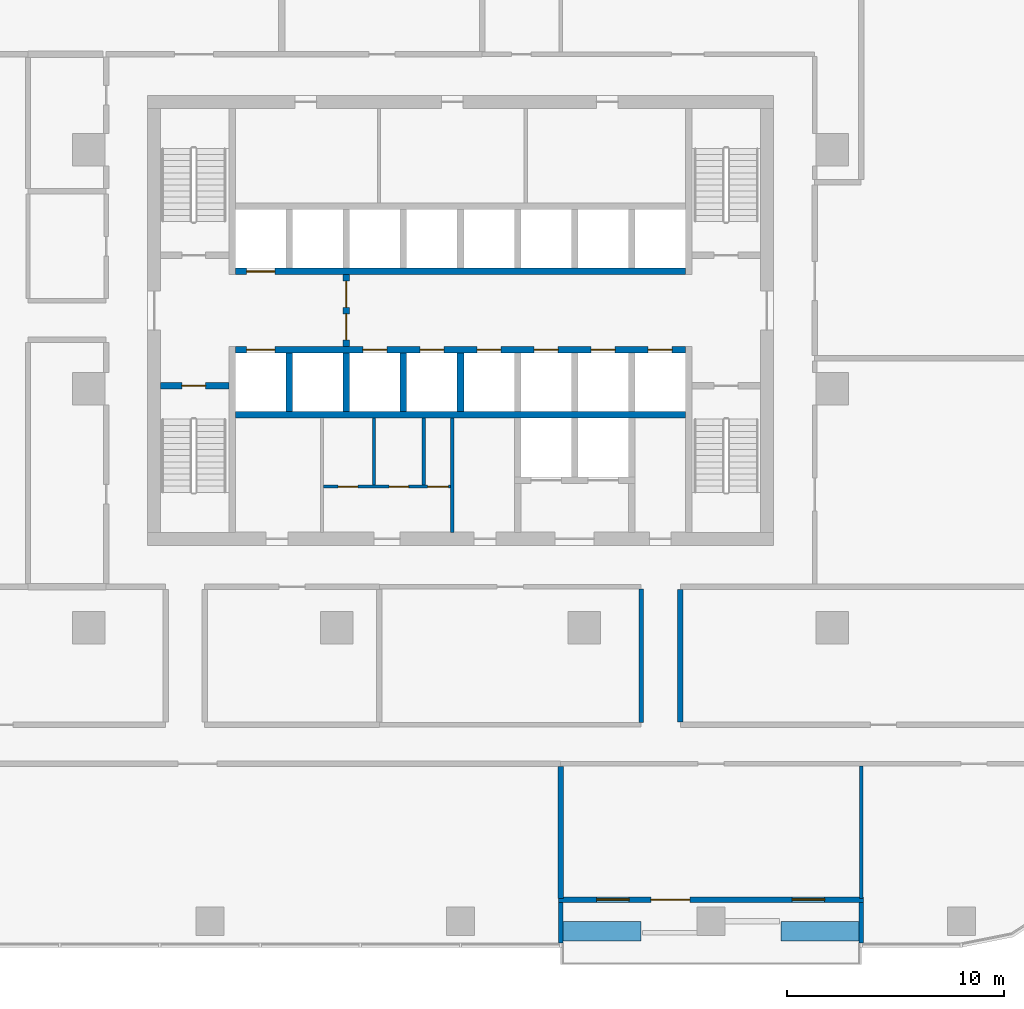
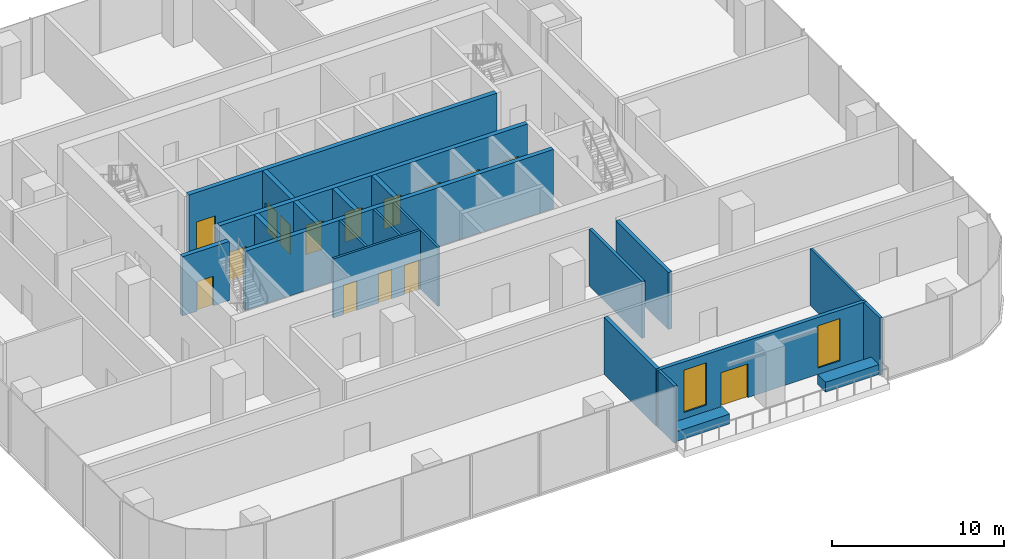
# One storey, part 8 of 15: 22 walls, 15 doors, 2 windows, 17 openings.
"""IFC4 building model written with IfcOpenShell, lengths in metres."""

from ifc_helpers import new_model, si_unit, direction, frame, frame_2d, origin, place, context, subcontext, project, spatial, rectangle, extrude, material, layer, layer_set, type_object, element, fill, save


model = new_model("IFC4")

# Units and contexts
model_context = context("Model", 3, precision=1e-05, world=origin(), true_north=direction((0.0, 1.0)))
body_context = subcontext(model_context, "Body", "Model", "MODEL_VIEW")
ifc_project = project(units=[si_unit("LENGTHUNIT", "METRE"), si_unit("AREAUNIT", "SQUARE_METRE"), si_unit("VOLUMEUNIT", "CUBIC_METRE"), si_unit("PLANEANGLEUNIT", "RADIAN"), si_unit("MASSUNIT", "GRAM", prefix="KILO")], contexts=[model_context])

# Site, building, storey
site_placement = place(None, origin())
site = spatial("IfcSite", under=ifc_project, at=site_placement, CompositionType="ELEMENT")
building_placement = place(site_placement, origin())
building = spatial("IfcBuilding", under=site, at=building_placement, Name="Mopane Tessera Tower", CompositionType="ELEMENT")
storey_placement = place(building_placement, frame((0.0, 0.0, 103.60009765625)))
storey = spatial("IfcBuildingStorey", under=building, at=storey_placement, Name="L20", CompositionType="ELEMENT", Elevation=103.60009765625)

# Wall, openings, doors
ifc_material_1 = material(Name="Fire-rated gypsum board partition")
ifc_layer_1 = layer(ifc_material_1, 0.14990234375)
ifc_layer_set_1 = layer_set([ifc_layer_1], Name="Fire-rated gypsum board partition")
wall_type_1 = type_object("IfcWallType", Name="Core room partition 150 mm", PredefinedType="PARTITIONING", material=ifc_layer_set_1)
wall_1_placement = place(storey_placement, frame((-6.300048828125, -4.5, 0.0), z_axis=(0.0, 0.0, 1.0), x_axis=(1.0, 0.0, 0.0)))
wall_1 = element("IfcWall", 1, at=wall_1_placement, inside=storey, type_object=wall_type_1, Name="L20 WC partition", PredefinedType="PARTITIONING", context=body_context, shape_type="SweptSolid", body=[
    extrude(rectangle(XDim=5.85009765625, YDim=0.14990234375, at=frame_2d((2.925048828125, 0.0))), origin(), (0.0, 0.0, 1.0), 4.199951171875),
])
opening_1_placement = place(wall_1_placement, frame((0.675048828125, 0.0, 0.0)))
opening_1 = element("IfcOpeningElement", 2, at=opening_1_placement, cuts=wall_1, Name="Opening WD1", PredefinedType="OPENING", context=body_context, shape_type="SweptSolid", body=[
    extrude(rectangle(XDim=0.89990234375, YDim=2.10009765625, at=frame_2d((0.449951171875, 1.050048828125))), frame((0.0, 0.0869140625, 0.0), z_axis=(0.0, -1.0, 0.0), x_axis=(1.0, 0.0, 0.0)), (0.0, 0.0, 1.0), 0.173828125),
])
opening_2_placement = place(wall_1_placement, frame((3.014892578125, 0.0, 0.0)))
opening_2 = element("IfcOpeningElement", 3, at=opening_2_placement, cuts=wall_1, Name="Opening WD1", PredefinedType="OPENING", context=body_context, shape_type="SweptSolid", body=[
    extrude(rectangle(XDim=0.89990234375, YDim=2.10009765625, at=frame_2d((0.449951171875, 1.050048828125))), frame((0.0, 0.0869140625, 0.0), z_axis=(0.0, -1.0, 0.0), x_axis=(1.0, 0.0, 0.0)), (0.0, 0.0, 1.0), 0.173828125),
])
opening_3_placement = place(wall_1_placement, frame((4.7900390625, 0.0, 0.0)))
opening_3 = element("IfcOpeningElement", 4, at=opening_3_placement, cuts=wall_1, Name="Opening WD2", PredefinedType="OPENING", context=body_context, shape_type="SweptSolid", body=[
    extrude(rectangle(XDim=0.949951171875, YDim=2.10009765625, at=frame_2d((0.47509765625, 1.050048828125))), frame((0.0, 0.0869140625, 0.0), z_axis=(0.0, -1.0, 0.0), x_axis=(1.0, 0.0, 0.0)), (0.0, 0.0, 1.0), 0.173828125),
])
ifc_material_2 = material(Name="Timber door", Category="wood")
door_type_1 = type_object("IfcDoorType", Name="Accessible WC door 950 x 2100", OperationType="SINGLE_SWING_LEFT", PredefinedType="DOOR", material=ifc_material_2)
door_1_placement = place(opening_3_placement, origin())
door_1 = element("IfcDoor", 5, at=door_1_placement, inside=storey, type_object=door_type_1, Name="L20 Accessible WC door", OperationType="SINGLE_SWING_LEFT", OverallHeight=2.10009765625, OverallWidth=0.949951171875, PredefinedType="DOOR", context=body_context, shape_type="SweptSolid", body=[
    extrude(rectangle(XDim=0.949951171875, YDim=2.10009765625, at=frame_2d((0.47509765625, 1.050048828125))), frame((0.0, 0.02490234375, 0.0), z_axis=(0.0, -1.0, 0.0), x_axis=(1.0, 0.0, 0.0)), (0.0, 0.0, 1.0), 0.050048828125),
])
fill(opening_3, door_1)
ifc_material_3 = material(Name="Timber door", Category="wood")
door_type_2 = type_object("IfcDoorType", Name="WC cubicle door 900 x 2100", OperationType="SINGLE_SWING_LEFT", PredefinedType="DOOR", material=ifc_material_3)
door_2_placement = place(opening_1_placement, origin())
door_2 = element("IfcDoor", 6, at=door_2_placement, inside=storey, type_object=door_type_2, Name="L20 Men's WC door", OperationType="SINGLE_SWING_LEFT", OverallHeight=2.10009765625, OverallWidth=0.89990234375, PredefinedType="DOOR", context=body_context, shape_type="SweptSolid", body=[
    extrude(rectangle(XDim=0.89990234375, YDim=2.10009765625, at=frame_2d((0.449951171875, 1.050048828125))), frame((0.0, 0.02490234375, 0.0), z_axis=(0.0, -1.0, 0.0), x_axis=(1.0, 0.0, 0.0)), (0.0, 0.0, 1.0), 0.050048828125),
])
fill(opening_1, door_2)
door_3_placement = place(opening_2_placement, origin())
door_3 = element("IfcDoor", 7, at=door_3_placement, inside=storey, type_object=door_type_2, Name="L20 Women's WC door", OperationType="SINGLE_SWING_LEFT", OverallHeight=2.10009765625, OverallWidth=0.89990234375, PredefinedType="DOOR", context=body_context, shape_type="SweptSolid", body=[
    extrude(rectangle(XDim=0.89990234375, YDim=2.10009765625, at=frame_2d((0.449951171875, 1.050048828125))), frame((0.0, 0.02490234375, 0.0), z_axis=(0.0, -1.0, 0.0), x_axis=(1.0, 0.0, 0.0)), (0.0, 0.0, 1.0), 0.050048828125),
])
fill(opening_2, door_3)

# Walls
for number, where, z_axis, x_axis, name in (
    (8, (-3.97509765625, -4.425048828125, 0.0), (0.0, 0.0, 1.0), (0.0, 1.0, 0.0), "L20 WC partition"),
    (9, (-1.695068359375, -4.425048828125, 0.0), (0.0, 0.0, 1.0), (0.0, 1.0, 0.0), "L20 WC partition"),
):
    element("IfcWall", number, at=place(storey_placement, frame(where, z_axis=z_axis, x_axis=x_axis)), inside=storey, type_object=wall_type_1, Name=name, PredefinedType="PARTITIONING", context=body_context, shape_type="SweptSolid", body=[
        extrude(rectangle(XDim=3.074951171875, YDim=0.14990234375, at=frame_2d((1.53759765625, 0.0))), origin(), (0.0, 0.0, 1.0), 4.199951171875),
    ])
wall_2_placement = place(storey_placement, frame((-0.375, -6.60009765625, 0.0), z_axis=(0.0, 0.0, 1.0), x_axis=(0.0, 1.0, 0.0)))
element("IfcWall", 10, at=wall_2_placement, inside=storey, type_object=wall_type_1, Name="L20 Room partition", PredefinedType="PARTITIONING", context=body_context, shape_type="SweptSolid", body=[
    extrude(rectangle(XDim=5.25, YDim=0.14990234375, at=frame_2d((2.625, 0.0))), origin(), (0.0, 0.0, 1.0), 4.199951171875),
])
ifc_material_4 = material(Name="Gypsum board on steel studs, two layers each face, mineral wool infill", Category="steel")
ifc_layer_2 = layer(ifc_material_4, 0.199951171875)
ifc_layer_set_2 = layer_set([ifc_layer_2], Name="Gypsum board on steel studs, two layers each face, mineral wool infill")
wall_type_2 = type_object("IfcWallType", Name="Gypsum board corridor wall 200, rated EI 60", PredefinedType="PARTITIONING", material=ifc_layer_set_2)
wall_3_placement = place(storey_placement, frame((8.31494140625, -15.35009765625, 0.0), z_axis=(0.0, 0.0, 1.0), x_axis=(0.0, 1.0, 0.0)))
element("IfcWall", 11, at=wall_3_placement, inside=storey, type_object=wall_type_2, Name="Partition L20:041", PredefinedType="PARTITIONING", context=body_context, shape_type="SweptSolid", body=[
    extrude(rectangle(XDim=6.150146484375, YDim=0.199951171875, at=frame_2d((3.0751953125, 0.0))), origin(), (0.0, 0.0, 1.0), 4.0498046875),
])
ifc_material_5 = material(Name="Gypsum board on steel studs, mineral wool infill", Category="steel")
ifc_layer_3 = layer(ifc_material_5, 0.14990234375)
ifc_layer_set_3 = layer_set([ifc_layer_3], Name="Gypsum board on steel studs, mineral wool infill")
wall_type_3 = type_object("IfcWallType", Name="Gypsum board partition 150, rated EI 60", PredefinedType="PARTITIONING", material=ifc_layer_set_3)
wall_4_placement = place(storey_placement, frame((18.43994140625, -23.449951171875, 0.0), z_axis=(0.0, 0.0, 1.0), x_axis=(0.0, 1.0, 0.0)))
element("IfcWall", 12, at=wall_4_placement, inside=storey, type_object=wall_type_3, Name="Partition L20:048", PredefinedType="PARTITIONING", context=body_context, shape_type="SweptSolid", body=[
    extrude(rectangle(XDim=6.099853515625, YDim=0.14990234375, at=frame_2d((3.0498046875, 0.0))), origin(), (0.0, 0.0, 1.0), 4.0498046875),
])

# Wall, opening, door
ifc_material_6 = material(Name="Concrete C50/60", Category="concrete")
ifc_layer_4 = layer(ifc_material_6, 0.300048828125)
ifc_layer_set_4 = layer_set([ifc_layer_4], Name="Concrete C50/60")
wall_type_4 = type_object("IfcWallType", Name="Lift and stair shaft wall 300 mm", PredefinedType="SOLIDWALL", material=ifc_layer_set_4)
wall_5_placement = place(storey_placement, frame((-13.800048828125, 0.14990234375, 0.0), z_axis=(0.0, 0.0, 1.0), x_axis=(1.0, 0.0, 0.0)))
wall_5 = element("IfcWall", 13, at=wall_5_placement, inside=storey, type_object=wall_type_4, Name="L20 Stair enclosure wall", PredefinedType="SOLIDWALL", context=body_context, shape_type="SweptSolid", body=[
    extrude(rectangle(XDim=3.150146484375, YDim=0.300048828125, at=frame_2d((1.5751953125, 0.0))), origin(), (0.0, 0.0, 1.0), 4.199951171875),
])
opening_4_placement = place(wall_5_placement, frame((0.97509765625, 0.0, 0.0)))
opening_4 = element("IfcOpeningElement", 14, at=opening_4_placement, cuts=wall_5, Name="Opening SD1", PredefinedType="OPENING", context=body_context, shape_type="SweptSolid", body=[
    extrude(rectangle(XDim=1.10009765625, YDim=2.10009765625, at=frame_2d((0.550048828125, 1.050048828125))), frame((0.0, 0.162109375, 0.0), z_axis=(0.0, -1.0, 0.0), x_axis=(1.0, 0.0, 0.0)), (0.0, 0.0, 1.0), 0.323974609375),
])
ifc_material_7 = material(Name="Steel fire door", Category="steel")
door_type_3 = type_object("IfcDoorType", Name="Stair fire door 1100 x 2100", OperationType="SINGLE_SWING_LEFT", PredefinedType="DOOR", material=ifc_material_7)
door_4_placement = place(opening_4_placement, origin())
door_4 = element("IfcDoor", 15, at=door_4_placement, inside=storey, type_object=door_type_3, Name="L20 Stair door ST1", OperationType="SINGLE_SWING_LEFT", OverallHeight=2.10009765625, OverallWidth=1.10009765625, PredefinedType="DOOR", context=body_context, shape_type="SweptSolid", body=[
    extrude(rectangle(XDim=1.10009765625, YDim=2.10009765625, at=frame_2d((0.550048828125, 1.050048828125))), frame((0.0, 0.02490234375, 0.0), z_axis=(0.0, -1.0, 0.0), x_axis=(1.0, 0.0, 0.0)), (0.0, 0.0, 1.0), 0.050048828125),
])
fill(opening_4, door_4)

# Wall
wall_6_placement = place(storey_placement, frame((-10.35009765625, -1.199951171875, 0.0), z_axis=(0.0, 0.0, 1.0), x_axis=(1.0, 0.0, 0.0)))
element("IfcWall", 16, at=wall_6_placement, inside=storey, type_object=wall_type_4, Name="L20 Lift shaft rear wall", PredefinedType="SOLIDWALL", context=body_context, shape_type="SweptSolid", body=[
    extrude(rectangle(XDim=20.7001953125, YDim=0.300048828125, at=frame_2d((10.35009765625, 0.0))), origin(), (0.0, 0.0, 1.0), 4.199951171875),
])

# Wall, openings, doors
wall_7_placement = place(storey_placement, frame((-10.35009765625, 1.800048828125, 0.0), z_axis=(0.0, 0.0, 1.0), x_axis=(1.0, 0.0, 0.0)))
wall_7 = element("IfcWall", 17, at=wall_7_placement, inside=storey, type_object=wall_type_4, Name="L20 Lift shaft front wall", PredefinedType="SOLIDWALL", context=body_context, shape_type="SweptSolid", body=[
    extrude(rectangle(XDim=20.7001953125, YDim=0.300048828125, at=frame_2d((10.35009765625, 0.0))), origin(), (0.0, 0.0, 1.0), 4.199951171875),
])
opening_5_placement = place(wall_7_placement, frame((0.512451171875, 0.0, 0.0)))
opening_5 = element("IfcOpeningElement", 18, at=opening_5_placement, cuts=wall_7, Name="Opening LD2", PredefinedType="OPENING", context=body_context, shape_type="SweptSolid", body=[
    extrude(rectangle(XDim=1.300048828125, YDim=2.10009765625, at=frame_2d((0.64990234375, 1.050048828125))), frame((0.0, 0.162109375, 0.0), z_axis=(0.0, -1.0, 0.0), x_axis=(1.0, 0.0, 0.0)), (0.0, 0.0, 1.0), 0.323974609375),
])
opening_6_placement = place(wall_7_placement, frame((5.862548828125, 0.0, 0.0)))
opening_6 = element("IfcOpeningElement", 19, at=opening_6_placement, cuts=wall_7, Name="Opening LD", PredefinedType="OPENING", context=body_context, shape_type="SweptSolid", body=[
    extrude(rectangle(XDim=1.10009765625, YDim=2.10009765625, at=frame_2d((0.550048828125, 1.050048828125))), frame((0.0, 0.162109375, 0.0), z_axis=(0.0, -1.0, 0.0), x_axis=(1.0, 0.0, 0.0)), (0.0, 0.0, 1.0), 0.323974609375),
])
opening_7_placement = place(wall_7_placement, frame((8.487548828125, 0.0, 0.0)))
opening_7 = element("IfcOpeningElement", 20, at=opening_7_placement, cuts=wall_7, Name="Opening LD", PredefinedType="OPENING", context=body_context, shape_type="SweptSolid", body=[
    extrude(rectangle(XDim=1.10009765625, YDim=2.10009765625, at=frame_2d((0.550048828125, 1.050048828125))), frame((0.0, 0.162109375, 0.0), z_axis=(0.0, -1.0, 0.0), x_axis=(1.0, 0.0, 0.0)), (0.0, 0.0, 1.0), 0.323974609375),
])
opening_8_placement = place(wall_7_placement, frame((11.112548828125, 0.0, 0.0)))
opening_8 = element("IfcOpeningElement", 21, at=opening_8_placement, cuts=wall_7, Name="Opening LD", PredefinedType="OPENING", context=body_context, shape_type="SweptSolid", body=[
    extrude(rectangle(XDim=1.10009765625, YDim=2.10009765625, at=frame_2d((0.550048828125, 1.050048828125))), frame((0.0, 0.162109375, 0.0), z_axis=(0.0, -1.0, 0.0), x_axis=(1.0, 0.0, 0.0)), (0.0, 0.0, 1.0), 0.323974609375),
])
opening_9_placement = place(wall_7_placement, frame((13.737548828125, 0.0, 0.0)))
opening_9 = element("IfcOpeningElement", 22, at=opening_9_placement, cuts=wall_7, Name="Opening LD", PredefinedType="OPENING", context=body_context, shape_type="SweptSolid", body=[
    extrude(rectangle(XDim=1.10009765625, YDim=2.10009765625, at=frame_2d((0.550048828125, 1.050048828125))), frame((0.0, 0.162109375, 0.0), z_axis=(0.0, -1.0, 0.0), x_axis=(1.0, 0.0, 0.0)), (0.0, 0.0, 1.0), 0.323974609375),
])
opening_10_placement = place(wall_7_placement, frame((16.362548828125, 0.0, 0.0)))
opening_10 = element("IfcOpeningElement", 23, at=opening_10_placement, cuts=wall_7, Name="Opening LD", PredefinedType="OPENING", context=body_context, shape_type="SweptSolid", body=[
    extrude(rectangle(XDim=1.10009765625, YDim=2.10009765625, at=frame_2d((0.550048828125, 1.050048828125))), frame((0.0, 0.162109375, 0.0), z_axis=(0.0, -1.0, 0.0), x_axis=(1.0, 0.0, 0.0)), (0.0, 0.0, 1.0), 0.323974609375),
])
opening_11_placement = place(wall_7_placement, frame((18.987548828125, 0.0, 0.0)))
opening_11 = element("IfcOpeningElement", 24, at=opening_11_placement, cuts=wall_7, Name="Opening LD", PredefinedType="OPENING", context=body_context, shape_type="SweptSolid", body=[
    extrude(rectangle(XDim=1.10009765625, YDim=2.10009765625, at=frame_2d((0.550048828125, 1.050048828125))), frame((0.0, 0.162109375, 0.0), z_axis=(0.0, -1.0, 0.0), x_axis=(1.0, 0.0, 0.0)), (0.0, 0.0, 1.0), 0.323974609375),
])
ifc_material_8 = material(Name="Stainless steel sliding door", Category="steel")
door_type_4 = type_object("IfcDoorType", Name="Fire-fighting lift landing door 1300 x 2100", OperationType="DOUBLE_DOOR_SLIDING", PredefinedType="DOOR", material=ifc_material_8)
door_5_placement = place(opening_5_placement, origin())
door_5 = element("IfcDoor", 25, at=door_5_placement, inside=storey, type_object=door_type_4, Name="L20 Lift landing door FF1", OperationType="DOUBLE_DOOR_SLIDING", OverallHeight=2.10009765625, OverallWidth=1.300048828125, PredefinedType="DOOR", context=body_context, shape_type="SweptSolid", body=[
    extrude(rectangle(XDim=1.300048828125, YDim=2.10009765625, at=frame_2d((0.64990234375, 1.050048828125))), frame((0.0, 0.02490234375, 0.0), z_axis=(0.0, -1.0, 0.0), x_axis=(1.0, 0.0, 0.0)), (0.0, 0.0, 1.0), 0.050048828125),
])
fill(opening_5, door_5)
ifc_material_9 = material(Name="Stainless steel sliding door", Category="steel")
door_type_5 = type_object("IfcDoorType", Name="Lift landing door 1100 x 2100", OperationType="DOUBLE_DOOR_SLIDING", PredefinedType="DOOR", material=ifc_material_9)
door_6_placement = place(opening_6_placement, origin())
door_6 = element("IfcDoor", 26, at=door_6_placement, inside=storey, type_object=door_type_5, Name="L20 Lift landing door LR1", OperationType="DOUBLE_DOOR_SLIDING", OverallHeight=2.10009765625, OverallWidth=1.10009765625, PredefinedType="DOOR", context=body_context, shape_type="SweptSolid", body=[
    extrude(rectangle(XDim=1.10009765625, YDim=2.10009765625, at=frame_2d((0.550048828125, 1.050048828125))), frame((0.0, 0.02490234375, 0.0), z_axis=(0.0, -1.0, 0.0), x_axis=(1.0, 0.0, 0.0)), (0.0, 0.0, 1.0), 0.050048828125),
])
fill(opening_6, door_6)
door_7_placement = place(opening_7_placement, origin())
door_7 = element("IfcDoor", 27, at=door_7_placement, inside=storey, type_object=door_type_5, Name="L20 Lift landing door LR2", OperationType="DOUBLE_DOOR_SLIDING", OverallHeight=2.10009765625, OverallWidth=1.10009765625, PredefinedType="DOOR", context=body_context, shape_type="SweptSolid", body=[
    extrude(rectangle(XDim=1.10009765625, YDim=2.10009765625, at=frame_2d((0.550048828125, 1.050048828125))), frame((0.0, 0.02490234375, 0.0), z_axis=(0.0, -1.0, 0.0), x_axis=(1.0, 0.0, 0.0)), (0.0, 0.0, 1.0), 0.050048828125),
])
fill(opening_7, door_7)
door_8_placement = place(opening_8_placement, origin())
door_8 = element("IfcDoor", 28, at=door_8_placement, inside=storey, type_object=door_type_5, Name="L20 Lift landing door LR3", OperationType="DOUBLE_DOOR_SLIDING", OverallHeight=2.10009765625, OverallWidth=1.10009765625, PredefinedType="DOOR", context=body_context, shape_type="SweptSolid", body=[
    extrude(rectangle(XDim=1.10009765625, YDim=2.10009765625, at=frame_2d((0.550048828125, 1.050048828125))), frame((0.0, 0.02490234375, 0.0), z_axis=(0.0, -1.0, 0.0), x_axis=(1.0, 0.0, 0.0)), (0.0, 0.0, 1.0), 0.050048828125),
])
fill(opening_8, door_8)
door_9_placement = place(opening_9_placement, origin())
door_9 = element("IfcDoor", 29, at=door_9_placement, inside=storey, type_object=door_type_5, Name="L20 Lift landing door LR4", OperationType="DOUBLE_DOOR_SLIDING", OverallHeight=2.10009765625, OverallWidth=1.10009765625, PredefinedType="DOOR", context=body_context, shape_type="SweptSolid", body=[
    extrude(rectangle(XDim=1.10009765625, YDim=2.10009765625, at=frame_2d((0.550048828125, 1.050048828125))), frame((0.0, 0.02490234375, 0.0), z_axis=(0.0, -1.0, 0.0), x_axis=(1.0, 0.0, 0.0)), (0.0, 0.0, 1.0), 0.050048828125),
])
fill(opening_9, door_9)
door_10_placement = place(opening_10_placement, origin())
door_10 = element("IfcDoor", 30, at=door_10_placement, inside=storey, type_object=door_type_5, Name="L20 Lift landing door LR5", OperationType="DOUBLE_DOOR_SLIDING", OverallHeight=2.10009765625, OverallWidth=1.10009765625, PredefinedType="DOOR", context=body_context, shape_type="SweptSolid", body=[
    extrude(rectangle(XDim=1.10009765625, YDim=2.10009765625, at=frame_2d((0.550048828125, 1.050048828125))), frame((0.0, 0.02490234375, 0.0), z_axis=(0.0, -1.0, 0.0), x_axis=(1.0, 0.0, 0.0)), (0.0, 0.0, 1.0), 0.050048828125),
])
fill(opening_10, door_10)
door_11_placement = place(opening_11_placement, origin())
door_11 = element("IfcDoor", 31, at=door_11_placement, inside=storey, type_object=door_type_5, Name="L20 Lift landing door LR6", OperationType="DOUBLE_DOOR_SLIDING", OverallHeight=2.10009765625, OverallWidth=1.10009765625, PredefinedType="DOOR", context=body_context, shape_type="SweptSolid", body=[
    extrude(rectangle(XDim=1.10009765625, YDim=2.10009765625, at=frame_2d((0.550048828125, 1.050048828125))), frame((0.0, 0.02490234375, 0.0), z_axis=(0.0, -1.0, 0.0), x_axis=(1.0, 0.0, 0.0)), (0.0, 0.0, 1.0), 0.050048828125),
])
fill(opening_11, door_11)

# Wall, opening, door
wall_8_placement = place(storey_placement, frame((-10.35009765625, 5.39990234375, 0.0), z_axis=(0.0, 0.0, 1.0), x_axis=(1.0, 0.0, 0.0)))
wall_8 = element("IfcWall", 32, at=wall_8_placement, inside=storey, type_object=wall_type_4, Name="L20 Lift shaft front wall", PredefinedType="SOLIDWALL", context=body_context, shape_type="SweptSolid", body=[
    extrude(rectangle(XDim=20.7001953125, YDim=0.300048828125, at=frame_2d((10.35009765625, 0.0))), origin(), (0.0, 0.0, 1.0), 4.199951171875),
])
opening_12_placement = place(wall_8_placement, frame((0.512451171875, 0.0, 0.0)))
opening_12 = element("IfcOpeningElement", 33, at=opening_12_placement, cuts=wall_8, Name="Opening LD2", PredefinedType="OPENING", context=body_context, shape_type="SweptSolid", body=[
    extrude(rectangle(XDim=1.300048828125, YDim=2.10009765625, at=frame_2d((0.64990234375, 1.050048828125))), frame((0.0, 0.162109375, 0.0), z_axis=(0.0, -1.0, 0.0), x_axis=(1.0, 0.0, 0.0)), (0.0, 0.0, 1.0), 0.323974609375),
])
door_12_placement = place(opening_12_placement, origin())
door_12 = element("IfcDoor", 34, at=door_12_placement, inside=storey, type_object=door_type_4, Name="L20 Lift landing door FF2", OperationType="DOUBLE_DOOR_SLIDING", OverallHeight=2.10009765625, OverallWidth=1.300048828125, PredefinedType="DOOR", context=body_context, shape_type="SweptSolid", body=[
    extrude(rectangle(XDim=1.300048828125, YDim=2.10009765625, at=frame_2d((0.64990234375, 1.050048828125))), frame((0.0, 0.02490234375, 0.0), z_axis=(0.0, -1.0, 0.0), x_axis=(1.0, 0.0, 0.0)), (0.0, 0.0, 1.0), 0.050048828125),
])
fill(opening_12, door_12)

# Walls
for number, where, z_axis, x_axis, name in (
    (35, (-7.875, -1.050048828125, 0.0), (0.0, 0.0, 1.0), (0.0, 1.0, 0.0), "L20 Lift shaft wall"),
    (36, (-5.25, -1.050048828125, 0.0), (0.0, 0.0, 1.0), (0.0, 1.0, 0.0), "L20 Lift shaft wall"),
    (37, (-2.625, -1.050048828125, 0.0), (0.0, 0.0, 1.0), (0.0, 1.0, 0.0), "L20 Lift shaft wall"),
    (38, (0.0, -1.050048828125, 0.0), (0.0, 0.0, 1.0), (0.0, 1.0, 0.0), "L20 Lift shaft wall"),
):
    element("IfcWall", number, at=place(storey_placement, frame(where, z_axis=z_axis, x_axis=x_axis)), inside=storey, type_object=wall_type_4, Name=name, PredefinedType="SOLIDWALL", context=body_context, shape_type="SweptSolid", body=[
        extrude(rectangle(XDim=2.699951171875, YDim=0.300048828125, at=frame_2d((1.35009765625, 0.0))), origin(), (0.0, 0.0, 1.0), 4.199951171875),
    ])

# Wall, openings, doors
ifc_material_10 = material(Name="Concrete C50/60", Category="concrete")
ifc_layer_5 = layer(ifc_material_10, 0.300048828125)
ifc_layer_set_5 = layer_set([ifc_layer_5], Name="Concrete C50/60")
wall_type_5 = type_object("IfcWallType", Name="Lobby and refuge room wall 300 mm", PredefinedType="SOLIDWALL", material=ifc_layer_set_5)
wall_9_placement = place(storey_placement, frame((-5.25, 1.949951171875, 0.0), z_axis=(0.0, 0.0, 1.0), x_axis=(0.0, 1.0, 0.0)))
wall_9 = element("IfcWall", 39, at=wall_9_placement, inside=storey, type_object=wall_type_5, Name="L20 Fire-fighting lobby wall", PredefinedType="SOLIDWALL", context=body_context, shape_type="SweptSolid", body=[
    extrude(rectangle(XDim=3.300048828125, YDim=0.300048828125, at=frame_2d((1.64990234375, 0.0))), origin(), (0.0, 0.0, 1.0), 4.199951171875),
])
opening_13_placement = place(wall_9_placement, frame((0.300048828125, 0.0, 0.0)))
opening_13 = element("IfcOpeningElement", 40, at=opening_13_placement, cuts=wall_9, Name="Opening SD3", PredefinedType="OPENING", context=body_context, shape_type="SweptSolid", body=[
    extrude(rectangle(XDim=1.199951171875, YDim=2.10009765625, at=frame_2d((0.60009765625, 1.050048828125))), frame((0.0, 0.162109375, 0.0), z_axis=(0.0, -1.0, 0.0), x_axis=(1.0, 0.0, 0.0)), (0.0, 0.0, 1.0), 0.323974609375),
])
opening_14_placement = place(wall_9_placement, frame((1.800048828125, 0.0, 0.0)))
opening_14 = element("IfcOpeningElement", 41, at=opening_14_placement, cuts=wall_9, Name="Opening SD3", PredefinedType="OPENING", context=body_context, shape_type="SweptSolid", body=[
    extrude(rectangle(XDim=1.199951171875, YDim=2.10009765625, at=frame_2d((0.60009765625, 1.050048828125))), frame((0.0, 0.162109375, 0.0), z_axis=(0.0, -1.0, 0.0), x_axis=(1.0, 0.0, 0.0)), (0.0, 0.0, 1.0), 0.323974609375),
])
ifc_material_11 = material(Name="Steel fire door", Category="steel")
door_type_6 = type_object("IfcDoorType", Name="Lobby fire door 1200 x 2100", OperationType="SINGLE_SWING_LEFT", PredefinedType="DOOR", material=ifc_material_11)
door_13_placement = place(opening_13_placement, origin())
door_13 = element("IfcDoor", 42, at=door_13_placement, inside=storey, type_object=door_type_6, Name="L20 Fire-fighting lobby door", OperationType="SINGLE_SWING_LEFT", OverallHeight=2.10009765625, OverallWidth=1.199951171875, PredefinedType="DOOR", context=body_context, shape_type="SweptSolid", body=[
    extrude(rectangle(XDim=1.199951171875, YDim=2.10009765625, at=frame_2d((0.60009765625, 1.050048828125))), frame((0.0, 0.02490234375, 0.0), z_axis=(0.0, -1.0, 0.0), x_axis=(1.0, 0.0, 0.0)), (0.0, 0.0, 1.0), 0.050048828125),
])
fill(opening_13, door_13)
door_14_placement = place(opening_14_placement, origin())
door_14 = element("IfcDoor", 43, at=door_14_placement, inside=storey, type_object=door_type_6, Name="L20 Fire-fighting lobby door", OperationType="SINGLE_SWING_RIGHT", OverallHeight=2.10009765625, OverallWidth=1.199951171875, PredefinedType="DOOR", context=body_context, shape_type="SweptSolid", body=[
    extrude(rectangle(XDim=1.199951171875, YDim=2.10009765625, at=frame_2d((0.60009765625, 1.050048828125))), frame((0.0, 0.02490234375, 0.0), z_axis=(0.0, -1.0, 0.0), x_axis=(1.0, 0.0, 0.0)), (0.0, 0.0, 1.0), 0.050048828125),
])
fill(opening_14, door_14)

# Walls
ifc_material_12 = material(Name="Reinforced concrete C32/40 with waterproofing", Category="concrete")
ifc_layer_6 = layer(ifc_material_12, 0.89990234375)
ifc_layer_set_6 = layer_set([ifc_layer_6], Name="Reinforced concrete C32/40 with waterproofing")
wall_type_6 = type_object("IfcWallType", Name="Planter trough 3600 x 900", PredefinedType="STANDARD", material=ifc_layer_set_6)
for number, where, z_axis, x_axis, name in (
    (44, (4.7099609375, -24.949951171875, 0.0), (0.0, 0.0, 1.0), (1.0, 0.0, 0.0), "e:nw:L20:N3:pl0"),
    (45, (14.739990234375, -24.949951171875, 0.0), (0.0, 0.0, 1.0), (1.0, 0.0, 0.0), "e:nw:L20:N3:pl1"),
):
    element("IfcWall", number, at=place(storey_placement, frame(where, z_axis=z_axis, x_axis=x_axis)), inside=storey, type_object=wall_type_6, Name=name, PredefinedType="STANDARD", context=body_context, shape_type="SweptSolid", body=[
        extrude(rectangle(XDim=3.60009765625, YDim=0.89990234375, at=frame_2d((1.800048828125, 0.0))), origin(), (0.0, 0.0, 1.0), 0.699951171875),
    ])
ifc_material_13 = material(Name="Plastered concrete blockwork C20/25", Category="masonry")
ifc_layer_7 = layer(ifc_material_13, 0.25)
ifc_layer_set_7 = layer_set([ifc_layer_7], Name="Plastered concrete blockwork C20/25")
wall_type_7 = type_object("IfcWallType", Name="Plastered blockwork wall 250, rated EI 120", PredefinedType="PARTITIONING", material=ifc_layer_set_7)
wall_10_placement = place(storey_placement, frame((4.610107421875, -23.449951171875, 0.0), z_axis=(0.0, 0.0, 1.0), x_axis=(0.0, 1.0, 0.0)))
element("IfcWall", 46, at=wall_10_placement, inside=storey, type_object=wall_type_7, Name="Partition L20:040", PredefinedType="PARTITIONING", context=body_context, shape_type="SweptSolid", body=[
    extrude(rectangle(XDim=6.074951171875, YDim=0.25, at=frame_2d((3.03759765625, 0.0))), origin(), (0.0, 0.0, 1.0), 4.0498046875),
])
wall_11_placement = place(storey_placement, frame((10.114990234375, -15.324951171875, 0.0), z_axis=(0.0, 0.0, 1.0), x_axis=(0.0, 1.0, 0.0)))
element("IfcWall", 47, at=wall_11_placement, inside=storey, type_object=wall_type_7, Name="Partition L20:042", PredefinedType="PARTITIONING", context=body_context, shape_type="SweptSolid", body=[
    extrude(rectangle(XDim=6.099853515625, YDim=0.25, at=frame_2d((3.0498046875, 0.0))), origin(), (0.0, 0.0, 1.0), 4.0498046875),
])
ifc_material_14 = material(Name="Blockwork with glazed tile facing", Category="masonry")
ifc_layer_8 = layer(ifc_material_14, 0.199951171875)
ifc_layer_set_8 = layer_set([ifc_layer_8], Name="Blockwork with glazed tile facing")
wall_type_8 = type_object("IfcWallType", Name="Terrace cheek wall 200", PredefinedType="STANDARD", material=ifc_layer_set_8)
for number, where, z_axis, x_axis, name in (
    (48, (4.610107421875, -25.5, 0.0), (0.0, 0.0, 1.0), (0.0, 1.0, 0.0), "e:nw:L20:N3:cheeka"),
    (49, (18.43994140625, -25.5, 0.0), (0.0, 0.0, 1.0), (0.0, 1.0, 0.0), "e:nw:L20:N3:cheekb"),
):
    element("IfcWall", number, at=place(storey_placement, frame(where, z_axis=z_axis, x_axis=x_axis)), inside=storey, type_object=wall_type_8, Name=name, PredefinedType="STANDARD", context=body_context, shape_type="SweptSolid", body=[
        extrude(rectangle(XDim=1.875, YDim=0.199951171875, at=frame_2d((0.9375, 0.0))), origin(), (0.0, 0.0, 1.0), 4.0498046875),
    ])

# Wall, openings, windows, door
ifc_material_15 = material(Name="Blockwork with turquoise glazed tile facing", Category="masonry")
ifc_layer_9 = layer(ifc_material_15, 0.25)
ifc_layer_set_9 = layer_set([ifc_layer_9], Name="Blockwork with turquoise glazed tile facing")
wall_type_9 = type_object("IfcWallType", Name="Tile-clad external wall 250, turquoise", PredefinedType="STANDARD", material=ifc_layer_set_9)
wall_12_placement = place(storey_placement, frame((4.510009765625, -23.5, 0.0), z_axis=(0.0, 0.0, 1.0), x_axis=(1.0, 0.0, 0.0)))
wall_12 = element("IfcWall", 50, at=wall_12_placement, inside=storey, type_object=wall_type_9, Name="e:nw:L20:N3:back", PredefinedType="STANDARD", context=body_context, shape_type="SweptSolid", body=[
    extrude(rectangle(XDim=14.030029296875, YDim=0.25, at=frame_2d((7.01513671875, 0.0))), origin(), (0.0, 0.0, 1.0), 4.0498046875),
])
opening_15_placement = place(wall_12_placement, frame((1.75, 0.0, 0.449951171875)))
opening_15 = element("IfcOpeningElement", 51, at=opening_15_placement, cuts=wall_12, Name="Opening NW203A", PredefinedType="OPENING", context=body_context, shape_type="SweptSolid", body=[
    extrude(rectangle(XDim=1.5, YDim=3.0, at=frame_2d((0.75, 1.5))), frame((0.0, 0.136962890625, 0.0), z_axis=(0.0, -1.0, 0.0), x_axis=(1.0, 0.0, 0.0)), (0.0, 0.0, 1.0), 0.27392578125),
])
opening_16_placement = place(wall_12_placement, frame((4.25, 0.0, 0.0)))
opening_16 = element("IfcOpeningElement", 52, at=opening_16_placement, cuts=wall_12, Name="Opening ND203", PredefinedType="OPENING", context=body_context, shape_type="SweptSolid", body=[
    extrude(rectangle(XDim=1.800048828125, YDim=2.39990234375, at=frame_2d((0.89990234375, 1.199951171875))), frame((0.0, 0.136962890625, 0.0), z_axis=(0.0, -1.0, 0.0), x_axis=(1.0, 0.0, 0.0)), (0.0, 0.0, 1.0), 0.27392578125),
])
opening_17_placement = place(wall_12_placement, frame((10.75, 0.0, 0.449951171875)))
opening_17 = element("IfcOpeningElement", 53, at=opening_17_placement, cuts=wall_12, Name="Opening NW203B", PredefinedType="OPENING", context=body_context, shape_type="SweptSolid", body=[
    extrude(rectangle(XDim=1.5, YDim=3.0, at=frame_2d((0.75, 1.5))), frame((0.0, 0.136962890625, 0.0), z_axis=(0.0, -1.0, 0.0), x_axis=(1.0, 0.0, 0.0)), (0.0, 0.0, 1.0), 0.27392578125),
])
ifc_material_16 = material(Name="Clear laminated glass", Category="glass")
window_type = type_object("IfcWindowType", Name="Fixed window 1500 x 3000", PartitioningType="SINGLE_PANEL", PredefinedType="WINDOW", material=ifc_material_16)
window_1_placement = place(opening_15_placement, origin())
window_1 = element("IfcWindow", 54, at=window_1_placement, inside=storey, type_object=window_type, Name="e:nw:L20:N3:win0", OverallHeight=3.0, OverallWidth=1.5, PartitioningType="SINGLE_PANEL", PredefinedType="WINDOW", context=body_context, shape_type="SweptSolid", body=[
    extrude(rectangle(XDim=1.5, YDim=3.0, at=frame_2d((0.75, 1.5))), frame((0.0, 0.030029296875, 0.0), z_axis=(0.0, -1.0, 0.0), x_axis=(1.0, 0.0, 0.0)), (0.0, 0.0, 1.0), 0.06005859375),
])
fill(opening_15, window_1)
window_2_placement = place(opening_17_placement, origin())
window_2 = element("IfcWindow", 55, at=window_2_placement, inside=storey, type_object=window_type, Name="e:nw:L20:N3:win2", OverallHeight=3.0, OverallWidth=1.5, PartitioningType="SINGLE_PANEL", PredefinedType="WINDOW", context=body_context, shape_type="SweptSolid", body=[
    extrude(rectangle(XDim=1.5, YDim=3.0, at=frame_2d((0.75, 1.5))), frame((0.0, 0.030029296875, 0.0), z_axis=(0.0, -1.0, 0.0), x_axis=(1.0, 0.0, 0.0)), (0.0, 0.0, 1.0), 0.06005859375),
])
fill(opening_17, window_2)
ifc_material_17 = material(Name="Aluminium and clear glass", Category="aluminium")
door_type_7 = type_object("IfcDoorType", Name="Terrace double door 1800 x 2400", OperationType="DOUBLE_DOOR_SINGLE_SWING", PredefinedType="DOOR", material=ifc_material_17)
door_15_placement = place(opening_16_placement, origin())
door_15 = element("IfcDoor", 56, at=door_15_placement, inside=storey, type_object=door_type_7, Name="e:nw:L20:N3:door", ObjectType="D1", OperationType="DOUBLE_DOOR_SINGLE_SWING", OverallHeight=2.39990234375, OverallWidth=1.800048828125, PredefinedType="DOOR", context=body_context, shape_type="SweptSolid", body=[
    extrude(rectangle(XDim=1.800048828125, YDim=2.39990234375, at=frame_2d((0.89990234375, 1.199951171875))), frame((0.0, 0.02490234375, 0.0), z_axis=(0.0, -1.0, 0.0), x_axis=(1.0, 0.0, 0.0)), (0.0, 0.0, 1.0), 0.050048828125),
])
fill(opening_16, door_15)

save(model, "model.ifc")
